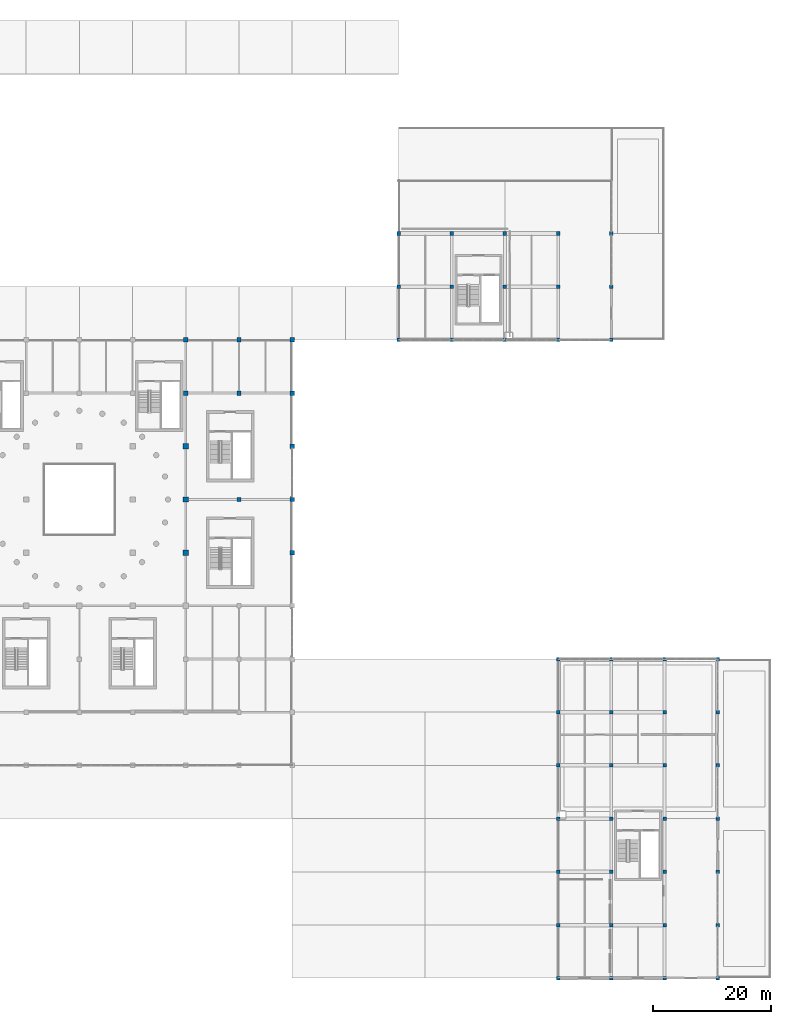
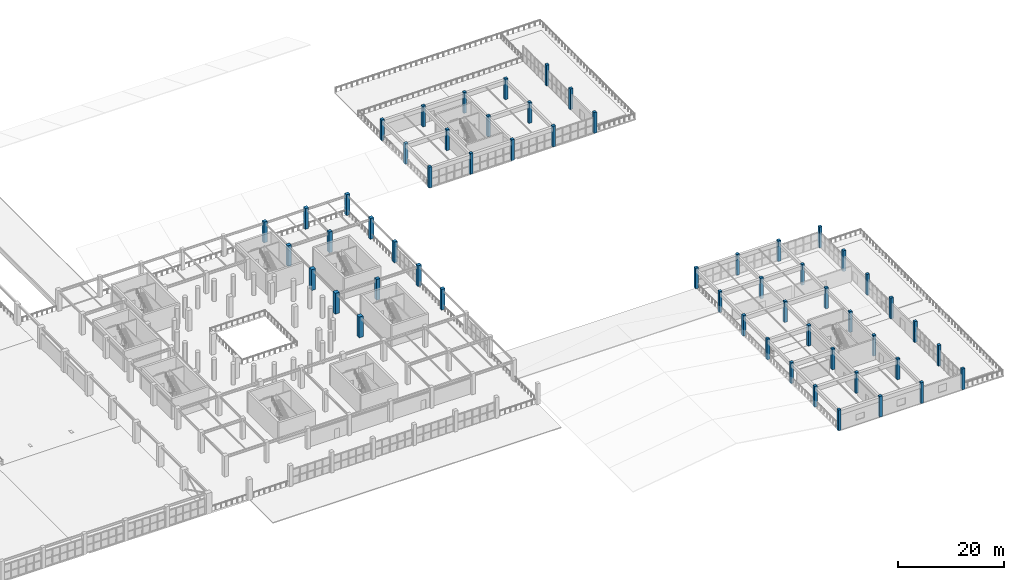
# One storey, part 2 of 89: 56 columns.
"""IFC4 building model written with IfcOpenShell, lengths in metres."""

from ifc_helpers import new_model, si_unit, direction, frame, origin, origin_2d, place, context, subcontext, project, spatial, rectangle, extrude, material, material_profile, profile_set, type_object, element, save


model = new_model("IFC4")

# Units and contexts
model_context = context("Model", 3, precision=1e-05, world=origin(), true_north=direction((0.0, 1.0)))
body_context = subcontext(model_context, "Body", "Model", "MODEL_VIEW")
ifc_project = project(units=[si_unit("LENGTHUNIT", "METRE"), si_unit("AREAUNIT", "SQUARE_METRE"), si_unit("VOLUMEUNIT", "CUBIC_METRE"), si_unit("PLANEANGLEUNIT", "RADIAN"), si_unit("MASSUNIT", "GRAM", prefix="KILO")], contexts=[model_context])

# Site, building, storey
site_placement = place(None, origin())
site = spatial("IfcSite", under=ifc_project, at=site_placement, CompositionType="ELEMENT")
building_placement = place(site_placement, origin())
building = spatial("IfcBuilding", under=site, at=building_placement, Name="Dornveld Trade and Exhibition Forum", CompositionType="ELEMENT")
storey_placement = place(building_placement, frame((0.0, 0.0, 12.0)))
storey = spatial("IfcBuildingStorey", under=building, at=storey_placement, Name="L02", CompositionType="ELEMENT", Elevation=12.0)

# Columns
ifc_material_1 = material(Name="Precast concrete C50/60", Category="concrete")
ifc_material_profile_1 = material_profile(ifc_material_1, rectangle(XDim=0.60009765625, YDim=0.60009765625, at=origin_2d()), Name="PC-COL 600x600")
ifc_profile_set_1 = profile_set([ifc_material_profile_1], Name="Precast concrete C50/60")
column_type_1 = type_object("IfcColumnType", Name="COL-PC600", PredefinedType="COLUMN", material=ifc_profile_set_1)
for number, where, z_axis, x_axis, name in (
    (1, (171.0, 108.0, 0.0), (0.0, 0.0, 1.0), (1.0, 0.0, 0.0), "L02 column (171.0, 108.0)"),
    (2, (171.0, 117.0, 0.0), (0.0, 0.0, 1.0), (1.0, 0.0, 0.0), "L02 column (171.0, 117.0)"),
    (3, (171.0, 126.0, 0.0), (0.0, 0.0, 1.0), (1.0, 0.0, 0.0), "L02 column (171.0, 126.0)"),
    (4, (180.0, 108.0, 0.0), (0.0, 0.0, 1.0), (1.0, 0.0, 0.0), "L02 column (180.0, 108.0)"),
    (5, (180.0, 117.0, 0.0), (0.0, 0.0, 1.0), (1.0, 0.0, 0.0), "L02 column (180.0, 117.0)"),
    (6, (180.0, 126.0, 0.0), (0.0, 0.0, 1.0), (1.0, 0.0, 0.0), "L02 column (180.0, 126.0)"),
    (7, (189.0, 108.0, 0.0), (0.0, 0.0, 1.0), (1.0, 0.0, 0.0), "L02 column (189.0, 108.0)"),
    (8, (189.0, 117.0, 0.0), (0.0, 0.0, 1.0), (1.0, 0.0, 0.0), "L02 column (189.0, 117.0)"),
    (9, (189.0, 126.0, 0.0), (0.0, 0.0, 1.0), (1.0, 0.0, 0.0), "L02 column (189.0, 126.0)"),
    (10, (198.0, 0.0, 0.0), (0.0, 0.0, 1.0), (1.0, 0.0, 0.0), "L02 column (198.0, 0.0)"),
    (11, (198.0, 9.0, 0.0), (0.0, 0.0, 1.0), (1.0, 0.0, 0.0), "L02 column (198.0, 9.0)"),
    (12, (198.0, 18.0, 0.0), (0.0, 0.0, 1.0), (1.0, 0.0, 0.0), "L02 column (198.0, 18.0)"),
    (13, (198.0, 27.0, 0.0), (0.0, 0.0, 1.0), (1.0, 0.0, 0.0), "L02 column (198.0, 27.0)"),
    (14, (198.0, 36.0, 0.0), (0.0, 0.0, 1.0), (1.0, 0.0, 0.0), "L02 column (198.0, 36.0)"),
    (15, (198.0, 45.0, 0.0), (0.0, 0.0, 1.0), (1.0, 0.0, 0.0), "L02 column (198.0, 45.0)"),
    (16, (198.0, 54.0, 0.0), (0.0, 0.0, 1.0), (1.0, 0.0, 0.0), "L02 column (198.0, 54.0)"),
    (17, (198.0, 108.0, 0.0), (0.0, 0.0, 1.0), (1.0, 0.0, 0.0), "L02 column (198.0, 108.0)"),
    (18, (198.0, 117.0, 0.0), (0.0, 0.0, 1.0), (1.0, 0.0, 0.0), "L02 column (198.0, 117.0)"),
    (19, (198.0, 126.0, 0.0), (0.0, 0.0, 1.0), (1.0, 0.0, 0.0), "L02 column (198.0, 126.0)"),
    (20, (207.0, 0.0, 0.0), (0.0, 0.0, 1.0), (1.0, 0.0, 0.0), "L02 column (207.0, 0.0)"),
    (21, (207.0, 9.0, 0.0), (0.0, 0.0, 1.0), (1.0, 0.0, 0.0), "L02 column (207.0, 9.0)"),
    (22, (207.0, 18.0, 0.0), (0.0, 0.0, 1.0), (1.0, 0.0, 0.0), "L02 column (207.0, 18.0)"),
    (23, (207.0, 27.0, 0.0), (0.0, 0.0, 1.0), (1.0, 0.0, 0.0), "L02 column (207.0, 27.0)"),
    (24, (207.0, 36.0, 0.0), (0.0, 0.0, 1.0), (1.0, 0.0, 0.0), "L02 column (207.0, 36.0)"),
    (25, (207.0, 45.0, 0.0), (0.0, 0.0, 1.0), (1.0, 0.0, 0.0), "L02 column (207.0, 45.0)"),
    (26, (207.0, 54.0, 0.0), (0.0, 0.0, 1.0), (1.0, 0.0, 0.0), "L02 column (207.0, 54.0)"),
    (27, (207.0, 108.0, 0.0), (0.0, 0.0, 1.0), (1.0, 0.0, 0.0), "L02 column (207.0, 108.0)"),
    (28, (207.0, 117.0, 0.0), (0.0, 0.0, 1.0), (1.0, 0.0, 0.0), "L02 column (207.0, 117.0)"),
    (29, (207.0, 126.0, 0.0), (0.0, 0.0, 1.0), (1.0, 0.0, 0.0), "L02 column (207.0, 126.0)"),
    (30, (216.0, 0.0, 0.0), (0.0, 0.0, 1.0), (1.0, 0.0, 0.0), "L02 column (216.0, 0.0)"),
    (31, (216.0, 9.0, 0.0), (0.0, 0.0, 1.0), (1.0, 0.0, 0.0), "L02 column (216.0, 9.0)"),
    (32, (216.0, 18.0, 0.0), (0.0, 0.0, 1.0), (1.0, 0.0, 0.0), "L02 column (216.0, 18.0)"),
    (33, (216.0, 27.0, 0.0), (0.0, 0.0, 1.0), (1.0, 0.0, 0.0), "L02 column (216.0, 27.0)"),
    (34, (216.0, 36.0, 0.0), (0.0, 0.0, 1.0), (1.0, 0.0, 0.0), "L02 column (216.0, 36.0)"),
    (35, (216.0, 45.0, 0.0), (0.0, 0.0, 1.0), (1.0, 0.0, 0.0), "L02 column (216.0, 45.0)"),
    (36, (216.0, 54.0, 0.0), (0.0, 0.0, 1.0), (1.0, 0.0, 0.0), "L02 column (216.0, 54.0)"),
    (37, (225.0, 0.0, 0.0), (0.0, 0.0, 1.0), (1.0, 0.0, 0.0), "L02 column (225.0, 0.0)"),
    (38, (225.0, 9.0, 0.0), (0.0, 0.0, 1.0), (1.0, 0.0, 0.0), "L02 column (225.0, 9.0)"),
    (39, (225.0, 18.0, 0.0), (0.0, 0.0, 1.0), (1.0, 0.0, 0.0), "L02 column (225.0, 18.0)"),
    (40, (225.0, 27.0, 0.0), (0.0, 0.0, 1.0), (1.0, 0.0, 0.0), "L02 column (225.0, 27.0)"),
    (41, (225.0, 36.0, 0.0), (0.0, 0.0, 1.0), (1.0, 0.0, 0.0), "L02 column (225.0, 36.0)"),
    (42, (225.0, 45.0, 0.0), (0.0, 0.0, 1.0), (1.0, 0.0, 0.0), "L02 column (225.0, 45.0)"),
    (43, (225.0, 54.0, 0.0), (0.0, 0.0, 1.0), (1.0, 0.0, 0.0), "L02 column (225.0, 54.0)"),
):
    element("IfcColumn", number, at=place(storey_placement, frame(where, z_axis=z_axis, x_axis=x_axis)), inside=storey, type_object=column_type_1, Name=name, PredefinedType="COLUMN", context=body_context, shape_type="SweptSolid", body=[
        extrude(rectangle(XDim=0.60009765625, YDim=0.60009765625, at=origin_2d()), origin(), (0.0, 0.0, 1.0), 4.800048828125),
    ])
ifc_material_2 = material(Name="Precast concrete C50/60", Category="concrete")
ifc_material_profile_2 = material_profile(ifc_material_2, rectangle(XDim=0.75, YDim=0.75, at=origin_2d()), Name="PC-COL 750x750")
ifc_profile_set_2 = profile_set([ifc_material_profile_2], Name="Precast concrete C50/60")
column_type_2 = type_object("IfcColumnType", Name="COL-PC750", PredefinedType="COLUMN", material=ifc_profile_set_2)
for number, where, z_axis, x_axis, name in (
    (44, (135.0, 99.0, 0.0), (0.0, 0.0, 1.0), (1.0, 0.0, 0.0), "L02 column (135.0, 99.0)"),
    (45, (135.0, 108.0, 0.0), (0.0, 0.0, 1.0), (1.0, 0.0, 0.0), "L02 column (135.0, 108.0)"),
    (46, (144.0, 81.0, 0.0), (0.0, 0.0, 1.0), (1.0, 0.0, 0.0), "L02 column (144.0, 81.0)"),
    (47, (144.0, 99.0, 0.0), (0.0, 0.0, 1.0), (1.0, 0.0, 0.0), "L02 column (144.0, 99.0)"),
    (48, (144.0, 108.0, 0.0), (0.0, 0.0, 1.0), (1.0, 0.0, 0.0), "L02 column (144.0, 108.0)"),
    (49, (153.0, 72.0, 0.0), (0.0, 0.0, 1.0), (1.0, 0.0, 0.0), "L02 column (153.0, 72.0)"),
    (50, (153.0, 81.0, 0.0), (0.0, 0.0, 1.0), (1.0, 0.0, 0.0), "L02 column (153.0, 81.0)"),
    (51, (153.0, 90.0, 0.0), (0.0, 0.0, 1.0), (1.0, 0.0, 0.0), "L02 column (153.0, 90.0)"),
    (52, (153.0, 99.0, 0.0), (0.0, 0.0, 1.0), (1.0, 0.0, 0.0), "L02 column (153.0, 99.0)"),
    (53, (153.0, 108.0, 0.0), (0.0, 0.0, 1.0), (1.0, 0.0, 0.0), "L02 column (153.0, 108.0)"),
):
    element("IfcColumn", number, at=place(storey_placement, frame(where, z_axis=z_axis, x_axis=x_axis)), inside=storey, type_object=column_type_2, Name=name, PredefinedType="COLUMN", context=body_context, shape_type="SweptSolid", body=[
        extrude(rectangle(XDim=0.75, YDim=0.75, at=origin_2d()), origin(), (0.0, 0.0, 1.0), 4.800048828125),
    ])
ifc_material_3 = material(Name="Precast concrete C50/60", Category="concrete")
ifc_material_profile_3 = material_profile(ifc_material_3, rectangle(XDim=0.89990234375, YDim=0.89990234375, at=origin_2d()), Name="PC-COL 900x900")
ifc_profile_set_3 = profile_set([ifc_material_profile_3], Name="Precast concrete C50/60")
column_type_3 = type_object("IfcColumnType", Name="COL-PC900", PredefinedType="COLUMN", material=ifc_profile_set_3)
for number, where, z_axis, x_axis, name in (
    (54, (135.0, 72.0, 0.0), (0.0, 0.0, 1.0), (1.0, 0.0, 0.0), "L02 column (135.0, 72.0)"),
    (55, (135.0, 81.0, 0.0), (0.0, 0.0, 1.0), (1.0, 0.0, 0.0), "L02 column (135.0, 81.0)"),
    (56, (135.0, 90.0, 0.0), (0.0, 0.0, 1.0), (1.0, 0.0, 0.0), "L02 column (135.0, 90.0)"),
):
    element("IfcColumn", number, at=place(storey_placement, frame(where, z_axis=z_axis, x_axis=x_axis)), inside=storey, type_object=column_type_3, Name=name, PredefinedType="COLUMN", context=body_context, shape_type="SweptSolid", body=[
        extrude(rectangle(XDim=0.89990234375, YDim=0.89990234375, at=origin_2d()), origin(), (0.0, 0.0, 1.0), 4.800048828125),
    ])

save(model, "model.ifc")
